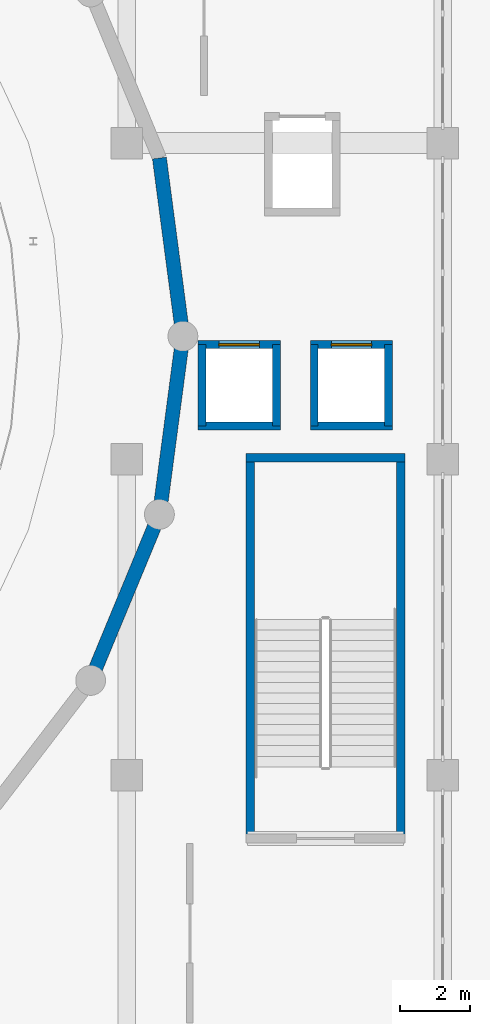
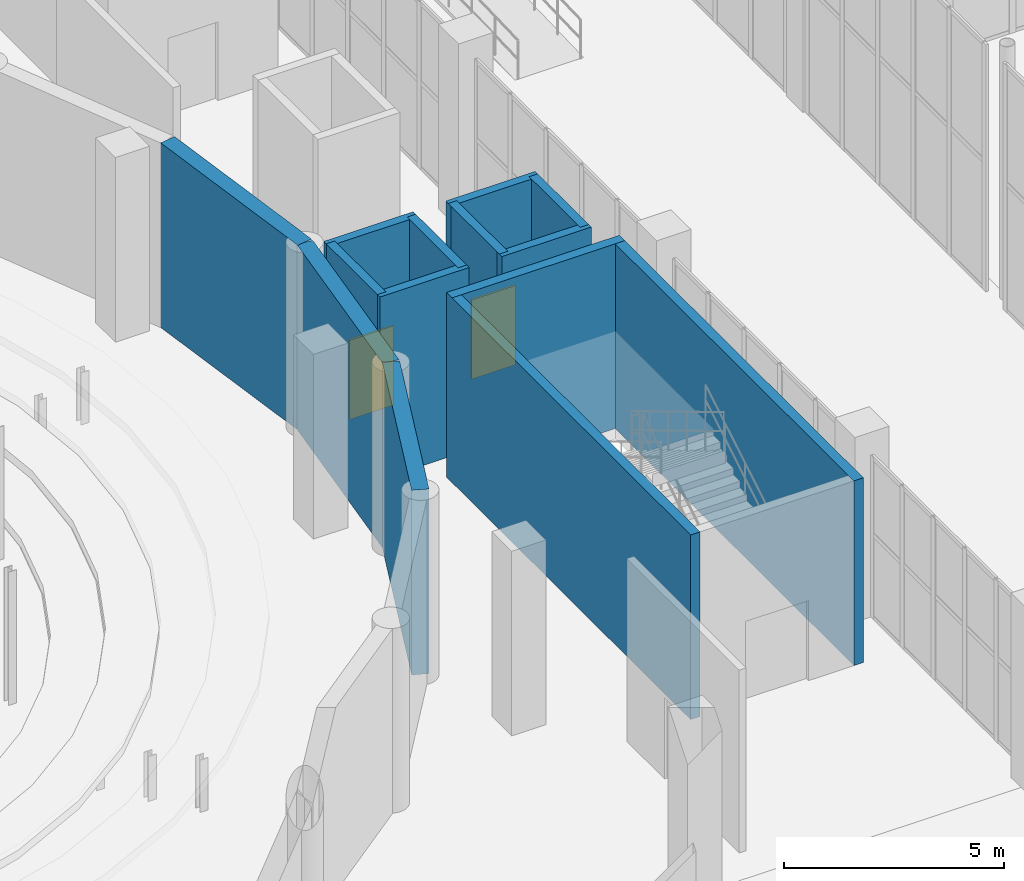
# One storey, part 84 of 103: 14 walls, 2 doors, 2 openings.
"""IFC4 building model written with IfcOpenShell, lengths in metres."""

from ifc_helpers import new_model, si_unit, direction, frame, frame_2d, origin, place, context, subcontext, project, spatial, rectangle, extrude, material, layer, layer_set, type_object, element, fill, save


model = new_model("IFC4")

# Units and contexts
model_context = context("Model", 3, precision=1e-05, world=origin(), true_north=direction((0.0, 1.0)))
body_context = subcontext(model_context, "Body", "Model", "MODEL_VIEW")
ifc_project = project(units=[si_unit("LENGTHUNIT", "METRE"), si_unit("AREAUNIT", "SQUARE_METRE"), si_unit("VOLUMEUNIT", "CUBIC_METRE"), si_unit("PLANEANGLEUNIT", "RADIAN"), si_unit("MASSUNIT", "GRAM", prefix="KILO")], contexts=[model_context])

# Site, building, storey
site_placement = place(None, origin())
site = spatial("IfcSite", under=ifc_project, at=site_placement, CompositionType="ELEMENT")
building_placement = place(site_placement, origin())
building = spatial("IfcBuilding", under=site, at=building_placement, Name="Marnock Terrace Opera House", CompositionType="ELEMENT")
storey_placement = place(building_placement, origin())
storey = spatial("IfcBuildingStorey", under=building, at=storey_placement, Name="L00", CompositionType="ELEMENT", Elevation=0.0)

# Wall, opening, door
ifc_material_1 = material(Name="Rendered acoustic concrete blockwork", Category="masonry")
ifc_layer_1 = layer(ifc_material_1, 0.22509765625)
ifc_layer_set_1 = layer_set([ifc_layer_1], Name="Rendered acoustic concrete blockwork")
wall_type_1 = type_object("IfcWallType", Name="IW-SHAFT-225", PredefinedType="SOLIDWALL", material=ifc_layer_set_1)
wall_1_placement = place(storey_placement, frame((102.027587890625, 60.260009765625, 0.0), z_axis=(0.0, 0.0, 1.0), x_axis=(1.0, 0.0, 0.0)))
wall_1 = element("IfcWall", 1, at=wall_1_placement, inside=storey, type_object=wall_type_1, Name="L00 Lift PL-03 front shaft wall", PredefinedType="SOLIDWALL", context=body_context, shape_type="SweptSolid", body=[
    extrude(rectangle(XDim=2.344970703125, YDim=0.22509765625, at=frame_2d((1.17236328125, 0.0))), origin(), (0.0, 0.0, 1.0), 5.070068359375),
])
opening_1_placement = place(wall_1_placement, frame((0.597412109375, 0.0, 0.0)))
opening_1 = element("IfcOpeningElement", 2, at=opening_1_placement, cuts=wall_1, Name="Opening LD-PL-03-L00", PredefinedType="OPENING", context=body_context, shape_type="SweptSolid", body=[
    extrude(rectangle(XDim=1.14990234375, YDim=2.199951171875, at=frame_2d((0.574951171875, 1.10009765625))), frame((0.0, 0.12255859375, 0.0), z_axis=(0.0, -1.0, 0.0), x_axis=(1.0, 0.0, 0.0)), (0.0, 0.0, 1.0), 0.2451171875),
])
ifc_material_2 = material(Name="Brushed stainless steel landing door assembly", Category="steel")
door_type = type_object("IfcDoorType", Name="DT-LIFT-1150", OperationType="NOTDEFINED", PredefinedType="DOOR", material=ifc_material_2)
door_1_placement = place(opening_1_placement, origin())
door_1 = element("IfcDoor", 3, at=door_1_placement, inside=storey, type_object=door_type, Name="L00 Lift PL-03 sliding landing door", OperationType="DOUBLE_DOOR_SLIDING", OverallHeight=2.199951171875, OverallWidth=1.14990234375, PredefinedType="DOOR", context=body_context, shape_type="SweptSolid", body=[
    extrude(rectangle(XDim=1.14990234375, YDim=2.199951171875, at=frame_2d((0.574951171875, 1.10009765625))), frame((0.0, 0.02490234375, 0.0), z_axis=(0.0, -1.0, 0.0), x_axis=(1.0, 0.0, 0.0)), (0.0, 0.0, 1.0), 0.050048828125),
])
fill(opening_1, door_1)

# Walls
wall_2_placement = place(storey_placement, frame((102.027587890625, 57.93994140625, 0.0), z_axis=(0.0, 0.0, 1.0), x_axis=(1.0, 0.0, 0.0)))
element("IfcWall", 4, at=wall_2_placement, inside=storey, type_object=wall_type_1, Name="L00 Lift PL-03 rear shaft wall", PredefinedType="SOLIDWALL", context=body_context, shape_type="SweptSolid", body=[
    extrude(rectangle(XDim=2.344970703125, YDim=0.22509765625, at=frame_2d((1.17236328125, 0.0))), origin(), (0.0, 0.0, 1.0), 5.070068359375),
])
for number, where, z_axis, x_axis, name in (
    (5, (102.139892578125, 57.93994140625, 0.0), (0.0, 0.0, 1.0), (0.0, 1.0, 0.0), "L00 Lift PL-03 west shaft wall"),
    (6, (104.260009765625, 57.93994140625, 0.0), (0.0, 0.0, 1.0), (0.0, 1.0, 0.0), "L00 Lift PL-03 east shaft wall"),
):
    element("IfcWall", number, at=place(storey_placement, frame(where, z_axis=z_axis, x_axis=x_axis)), inside=storey, type_object=wall_type_1, Name=name, PredefinedType="SOLIDWALL", context=body_context, shape_type="SweptSolid", body=[
        extrude(rectangle(XDim=2.320068359375, YDim=0.22509765625, at=frame_2d((1.16015625, 0.0))), origin(), (0.0, 0.0, 1.0), 5.070068359375),
    ])

# Wall, opening, door
wall_3_placement = place(storey_placement, frame((105.2275390625, 60.260009765625, 0.0), z_axis=(0.0, 0.0, 1.0), x_axis=(1.0, 0.0, 0.0)))
wall_3 = element("IfcWall", 7, at=wall_3_placement, inside=storey, type_object=wall_type_1, Name="L00 Lift PL-04 front shaft wall", PredefinedType="SOLIDWALL", context=body_context, shape_type="SweptSolid", body=[
    extrude(rectangle(XDim=2.344970703125, YDim=0.22509765625, at=frame_2d((1.17236328125, 0.0))), origin(), (0.0, 0.0, 1.0), 5.070068359375),
])
opening_2_placement = place(wall_3_placement, frame((0.597412109375, 0.0, 0.0)))
opening_2 = element("IfcOpeningElement", 8, at=opening_2_placement, cuts=wall_3, Name="Opening LD-PL-04-L00", PredefinedType="OPENING", context=body_context, shape_type="SweptSolid", body=[
    extrude(rectangle(XDim=1.14990234375, YDim=2.199951171875, at=frame_2d((0.574951171875, 1.10009765625))), frame((0.0, 0.12255859375, 0.0), z_axis=(0.0, -1.0, 0.0), x_axis=(1.0, 0.0, 0.0)), (0.0, 0.0, 1.0), 0.2451171875),
])
door_2_placement = place(opening_2_placement, origin())
door_2 = element("IfcDoor", 9, at=door_2_placement, inside=storey, type_object=door_type, Name="L00 Lift PL-04 sliding landing door", OperationType="DOUBLE_DOOR_SLIDING", OverallHeight=2.199951171875, OverallWidth=1.14990234375, PredefinedType="DOOR", context=body_context, shape_type="SweptSolid", body=[
    extrude(rectangle(XDim=1.14990234375, YDim=2.199951171875, at=frame_2d((0.574951171875, 1.10009765625))), frame((0.0, 0.02490234375, 0.0), z_axis=(0.0, -1.0, 0.0), x_axis=(1.0, 0.0, 0.0)), (0.0, 0.0, 1.0), 0.050048828125),
])
fill(opening_2, door_2)

# Walls
wall_4_placement = place(storey_placement, frame((105.2275390625, 57.93994140625, 0.0), z_axis=(0.0, 0.0, 1.0), x_axis=(1.0, 0.0, 0.0)))
element("IfcWall", 10, at=wall_4_placement, inside=storey, type_object=wall_type_1, Name="L00 Lift PL-04 rear shaft wall", PredefinedType="SOLIDWALL", context=body_context, shape_type="SweptSolid", body=[
    extrude(rectangle(XDim=2.344970703125, YDim=0.22509765625, at=frame_2d((1.17236328125, 0.0))), origin(), (0.0, 0.0, 1.0), 5.070068359375),
])
for number, where, z_axis, x_axis, name in (
    (11, (105.340087890625, 57.93994140625, 0.0), (0.0, 0.0, 1.0), (0.0, 1.0, 0.0), "L00 Lift PL-04 west shaft wall"),
    (12, (107.4599609375, 57.93994140625, 0.0), (0.0, 0.0, 1.0), (0.0, 1.0, 0.0), "L00 Lift PL-04 east shaft wall"),
):
    element("IfcWall", number, at=place(storey_placement, frame(where, z_axis=z_axis, x_axis=x_axis)), inside=storey, type_object=wall_type_1, Name=name, PredefinedType="SOLIDWALL", context=body_context, shape_type="SweptSolid", body=[
        extrude(rectangle(XDim=2.320068359375, YDim=0.22509765625, at=frame_2d((1.16015625, 0.0))), origin(), (0.0, 0.0, 1.0), 5.070068359375),
    ])
ifc_material_3 = material(Name="Concrete N40 (f'c = 40 MPa)", Category="concrete")
ifc_layer_2 = layer(ifc_material_3, 0.25)
ifc_layer_set_2 = layer_set([ifc_layer_2], Name="Concrete N40 (f'c = 40 MPa)")
wall_type_2 = type_object("IfcWallType", Name="SW-CORE-250", PredefinedType="SHEAR", material=ifc_layer_set_2)
wall_5_placement = place(storey_placement, frame((103.39501953125, 57.0400390625, 0.0), z_axis=(0.0, 0.0, 1.0), x_axis=(1.0, 0.0, 0.0)))
element("IfcWall", 13, at=wall_5_placement, inside=storey, type_object=wall_type_2, Name="L00 Core C2 FRL 120/120/120 shear wall N", PredefinedType="SHEAR", context=body_context, shape_type="SweptSolid", body=[
    extrude(rectangle(XDim=4.530029296875, YDim=0.25, at=frame_2d((2.26513671875, 0.0))), origin(), (0.0, 0.0, 1.0), 5.1201171875),
])
for number, where, z_axis, x_axis, name in (
    (14, (103.52001953125, 46.074951171875, 0.0), (0.0, 0.0, 1.0), (0.0, 1.0, 0.0), "L00 Core C2 FRL 120/120/120 shear wall W"),
    (15, (107.800048828125, 46.074951171875, 0.0), (0.0, 0.0, 1.0), (0.0, 1.0, 0.0), "L00 Core C2 FRL 120/120/120 shear wall E"),
):
    element("IfcWall", number, at=place(storey_placement, frame(where, z_axis=z_axis, x_axis=x_axis)), inside=storey, type_object=wall_type_2, Name=name, PredefinedType="SHEAR", context=body_context, shape_type="SweptSolid", body=[
        extrude(rectangle(XDim=11.090087890625, YDim=0.25, at=frame_2d((5.544921875, 0.0))), origin(), (0.0, 0.0, 1.0), 5.1201171875),
    ])
ifc_material_4 = material(Name="Concrete N50 (f'c = 50 MPa)", Category="concrete")
ifc_layer_3 = layer(ifc_material_4, 0.39990234375)
ifc_layer_set_3 = layer_set([ifc_layer_3], Name="Concrete N50 (f'c = 50 MPa)")
wall_type_3 = type_object("IfcWallType", Name="SW-DRUM-400", PredefinedType="SHEAR", material=ifc_layer_set_3)
wall_6_placement = place(storey_placement, frame((101.60009765625, 60.5, 0.0), z_axis=(0.0, 0.0, 1.0), x_axis=(-0.130591512704, 0.99143625958, 0.0)))
element("IfcWall", 16, at=wall_6_placement, inside=storey, type_object=wall_type_3, Name="L00 cylindrical auditorium drum shear wall 1", PredefinedType="SHEAR", context=body_context, shape_type="SweptSolid", body=[
    extrude(rectangle(XDim=5.11669921875, YDim=0.39990234375, at=frame_2d((2.558349609375, 0.0))), origin(), (0.0, 0.0, 1.0), 5.1201171875),
])
wall_7_placement = place(storey_placement, frame((98.97412109375, 50.699951171875, 0.0), z_axis=(0.0, 0.0, 1.0), x_axis=(0.382642581018, 0.923896452635, 0.0)))
element("IfcWall", 17, at=wall_7_placement, inside=storey, type_object=wall_type_3, Name="L00 cylindrical auditorium drum shear wall 23", PredefinedType="SHEAR", context=body_context, shape_type="SweptSolid", body=[
    extrude(rectangle(XDim=5.116455078125, YDim=0.39990234375, at=frame_2d((2.55810546875, 0.0))), origin(), (0.0, 0.0, 1.0), 5.1201171875),
])
wall_8_placement = place(storey_placement, frame((100.931884765625, 55.427001953125, 0.0), z_axis=(0.0, 0.0, 1.0), x_axis=(0.130591512704, 0.99143625958, 0.0)))
element("IfcWall", 18, at=wall_8_placement, inside=storey, type_object=wall_type_3, Name="L00 cylindrical auditorium drum shear wall 24", PredefinedType="SHEAR", context=body_context, shape_type="SweptSolid", body=[
    extrude(rectangle(XDim=5.11669921875, YDim=0.39990234375, at=frame_2d((2.558349609375, 0.0))), origin(), (0.0, 0.0, 1.0), 5.1201171875),
])

save(model, "model.ifc")
